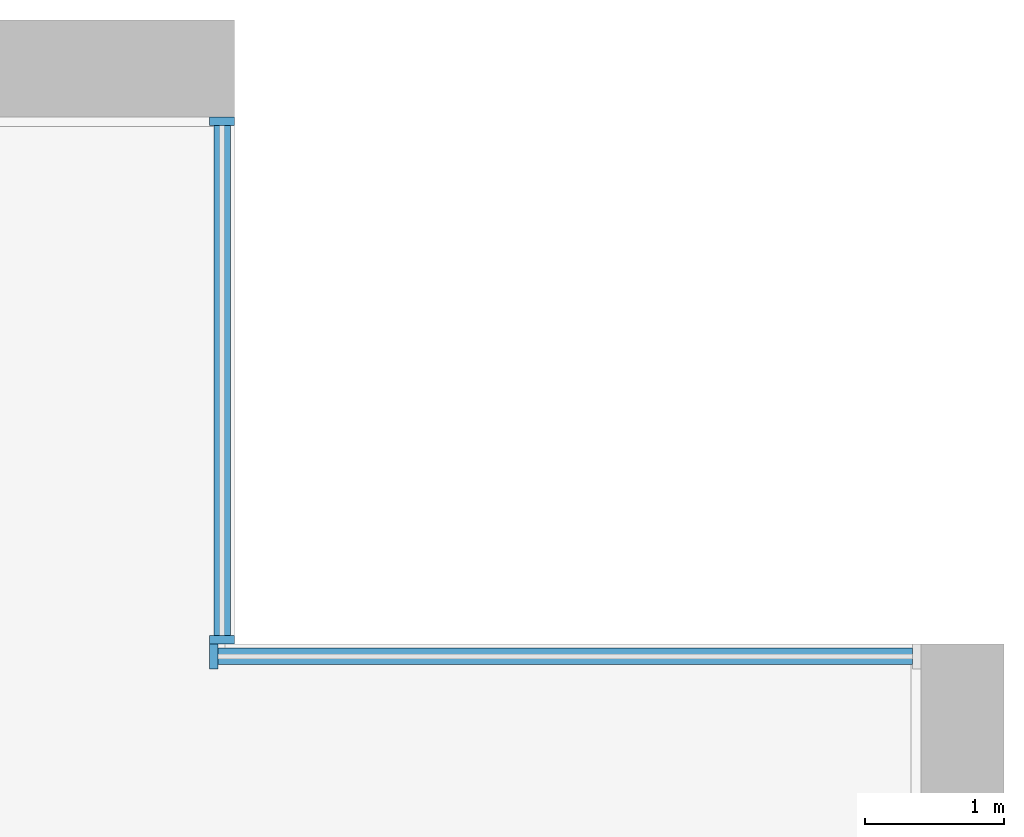
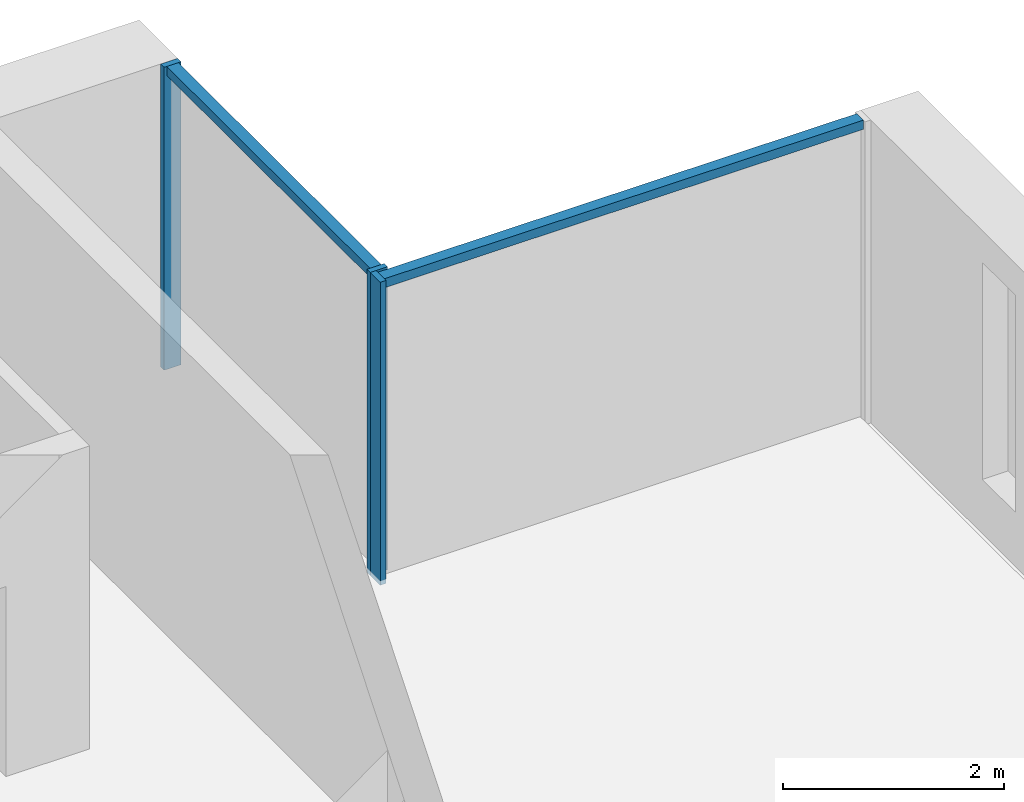
# One storey, part 5 of 17: 5 members, 2 elements without a shape of their own.
"""IFC4 building model written with IfcOpenShell, lengths in metres."""

from ifc_helpers import new_model, si_unit, direction, frame, origin, origin_2d, place, context, subcontext, project, spatial, rectangle, extrude, material, material_profile, profile_set, type_object, element, aggregate, save


model = new_model("IFC4")

# Units and contexts
model_context = context("Model", 3, precision=1e-05, world=origin(), true_north=direction((0.0, 1.0)))
body_context = subcontext(model_context, "Body", "Model", "MODEL_VIEW")
ifc_project = project(units=[si_unit("LENGTHUNIT", "METRE"), si_unit("AREAUNIT", "SQUARE_METRE"), si_unit("VOLUMEUNIT", "CUBIC_METRE"), si_unit("PLANEANGLEUNIT", "RADIAN"), si_unit("MASSUNIT", "GRAM", prefix="KILO")], contexts=[model_context])

# Site, building, storey
site_placement = place(None, origin())
site = spatial("IfcSite", under=ifc_project, at=site_placement, CompositionType="ELEMENT")
building_placement = place(site_placement, origin())
building = spatial("IfcBuilding", under=site, at=building_placement, Name="Calvaro Tower", CompositionType="ELEMENT")
storey_placement = place(building_placement, frame((0.0, 0.0, 174.25)))
storey = spatial("IfcBuildingStorey", under=building, at=storey_placement, Name="L43", CompositionType="ELEMENT", Elevation=174.25)

# Curtain wall, members
ifc_material_1 = material(Name="Anodised aluminium", Category="aluminium")
curtain_wall_type = type_object("IfcCurtainWallType", Name="Office curtain wall, upper zone", PredefinedType="NOTDEFINED", material=ifc_material_1)
curtain_wall_1_placement = place(storey_placement, origin())
curtain_wall_1 = element("IfcCurtainWall", 1, at=curtain_wall_1_placement, inside=storey, type_object=curtain_wall_type, Name="CW3 corner curtain wall", PredefinedType="NOTDEFINED")
ifc_material_2 = material(Name="Anodised aluminium", Category="aluminium")
ifc_material_profile_1 = material_profile(ifc_material_2, rectangle(XDim=0.179931640625, YDim=0.06005859375, at=origin_2d()), Name="Mullion S3 60 x 180")
ifc_profile_set_1 = profile_set([ifc_material_profile_1], Name="Anodised aluminium")
member_type_1 = type_object("IfcMemberType", Name="Mullion S3 60 x 180", PredefinedType="MULLION", material=ifc_profile_set_1)
member_1_placement = place(storey_placement, frame((66.360107421875, 41.530029296875, 0.0), z_axis=(0.0, 0.0, 1.0), x_axis=(-1.0, 0.0, 0.0)))
member_1 = element("IfcMember", 2, at=member_1_placement, type_object=member_type_1, Name="CW3 mullion 1", PredefinedType="MULLION", context=body_context, shape_type="SweptSolid", body=[
    extrude(rectangle(XDim=0.179931640625, YDim=0.06005859375, at=origin_2d()), origin(), (0.0, 0.0, 1.0), 3.35009765625),
])
member_2_placement = place(storey_placement, frame((66.360107421875, 45.27001953125, 0.0), z_axis=(0.0, 0.0, 1.0), x_axis=(-1.0, 0.0, 0.0)))
member_2 = element("IfcMember", 3, at=member_2_placement, type_object=member_type_1, Name="CW3 mullion 2", PredefinedType="MULLION", context=body_context, shape_type="SweptSolid", body=[
    extrude(rectangle(XDim=0.179931640625, YDim=0.06005859375, at=origin_2d()), origin(), (0.0, 0.0, 1.0), 3.35009765625),
])

# Curtain wall, member
curtain_wall_2_placement = place(storey_placement, origin())
curtain_wall_2 = element("IfcCurtainWall", 4, at=curtain_wall_2_placement, inside=storey, type_object=curtain_wall_type, Name="CW3 corner curtain wall", PredefinedType="NOTDEFINED")
member_3_placement = place(storey_placement, frame((66.300048828125, 41.409912109375, 0.0), z_axis=(0.0, 0.0, 1.0), x_axis=(0.0, 1.0, 0.0)))
member_3 = element("IfcMember", 5, at=member_3_placement, type_object=member_type_1, Name="CW3 mullion 1", PredefinedType="MULLION", context=body_context, shape_type="SweptSolid", body=[
    extrude(rectangle(XDim=0.179931640625, YDim=0.06005859375, at=origin_2d()), origin(), (0.0, 0.0, 1.0), 3.35009765625),
])

# Member
ifc_material_3 = material(Name="Anodised aluminium", Category="aluminium")
ifc_material_profile_2 = material_profile(ifc_material_3, rectangle(XDim=0.1201171875, YDim=0.10009765625, at=origin_2d()), Name="Transom S3 100 x 120")
ifc_profile_set_2 = profile_set([ifc_material_profile_2], Name="Anodised aluminium")
member_type_2 = type_object("IfcMemberType", Name="Transom S3 100 x 120", PredefinedType="USERDEFINED", material=ifc_profile_set_2)
member_4_placement = place(storey_placement, frame((66.360107421875, 41.56005859375, 3.300048828125), z_axis=(0.0, 1.0, 0.0), x_axis=(-1.0, 0.0, 0.0)))
member_4 = element("IfcMember", 6, at=member_4_placement, type_object=member_type_2, Name="CW3 transom 1.1", ObjectType="TRANSOM", PredefinedType="USERDEFINED", context=body_context, shape_type="SweptSolid", body=[
    extrude(rectangle(XDim=0.1201171875, YDim=0.10009765625, at=origin_2d()), origin(), (0.0, 0.0, 1.0), 3.679931640625),
])

aggregate(curtain_wall_1, [member_1, member_2, member_4])

member_5_placement = place(storey_placement, frame((66.330078125, 41.409912109375, 3.300048828125), z_axis=(1.0, 0.0, 0.0), x_axis=(0.0, 1.0, 0.0)))
member_5 = element("IfcMember", 7, at=member_5_placement, type_object=member_type_2, Name="CW3 transom 1.1", ObjectType="TRANSOM", PredefinedType="USERDEFINED", context=body_context, shape_type="SweptSolid", body=[
    extrude(rectangle(XDim=0.1201171875, YDim=0.10009765625, at=origin_2d()), origin(), (0.0, 0.0, 1.0), 5.010009765625),
])

aggregate(curtain_wall_2, [member_3, member_5])

save(model, "model.ifc")
